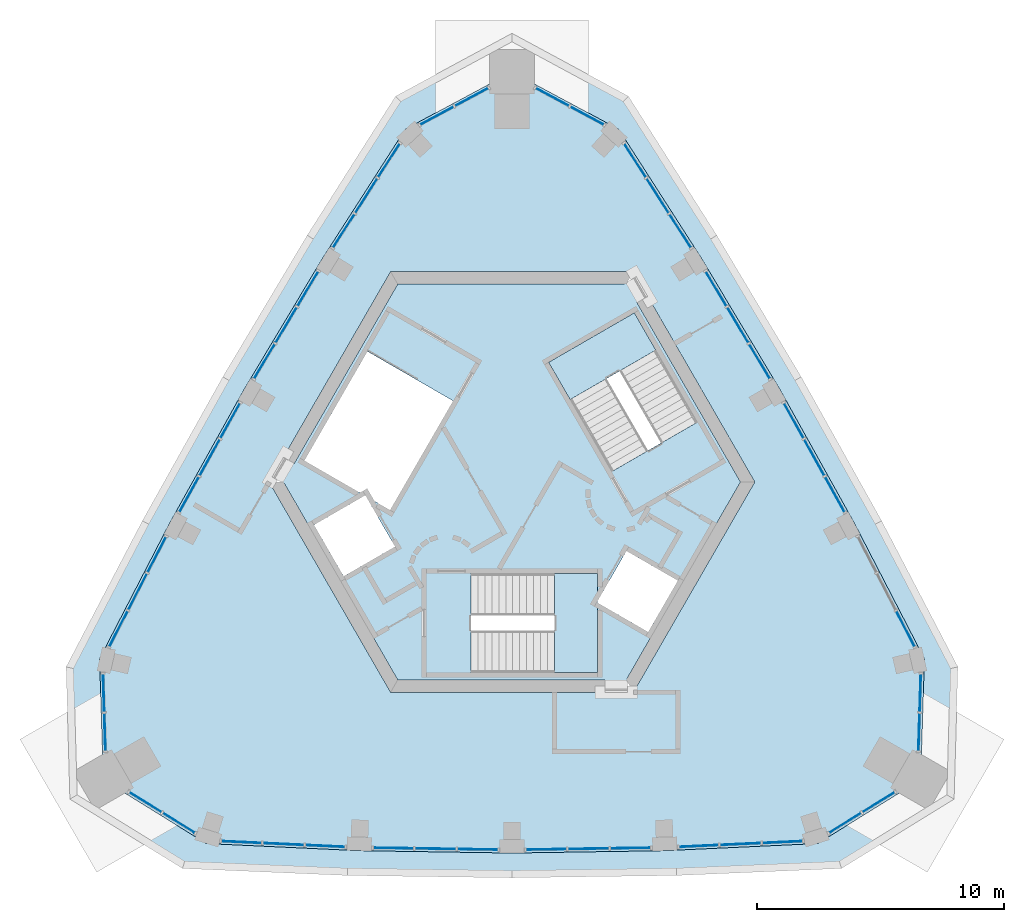
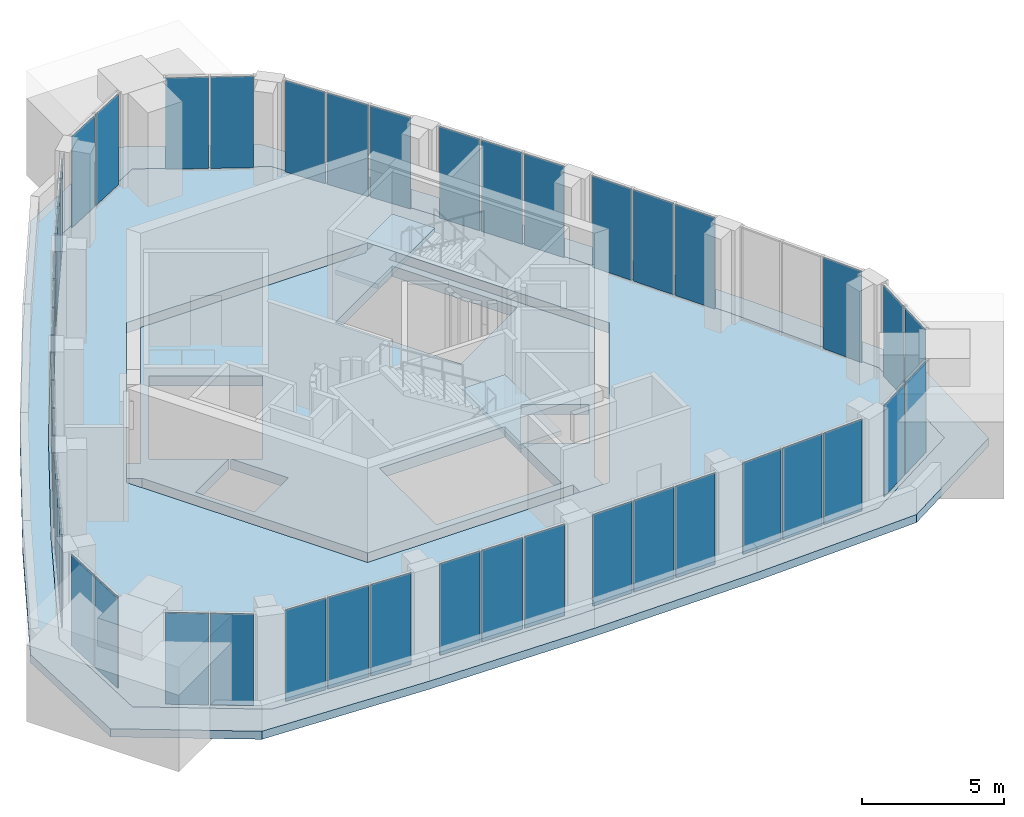
# One storey, part 5 of 9: 46 plates, 5 slabs, 20 elements without a shape of their own.
"""IFC4 building model written with IfcOpenShell, lengths in metres."""

import ifcopenshell
import ifcopenshell.guid

model = None  # the IFC model being written
_history = None  # IfcOwnerHistory: only IFC2X3 demands one
_inside = {}  # id of a spatial element -> (the spatial element, [elements in it])
_under = {}  # id of a project, library or spatial element -> (it, [spatial elements below it])
_declared = {}  # id of a project -> (the project, [libraries it declares])
_typed = {}  # id of a type object -> (the type object, [elements of that type])
_made_of = {}  # id of a material, layer set ... -> (it, [elements and type objects made of it])


def new_model(schema):
    """Start an empty IFC model of exactly this schema.

    Asked for "IFC4X3", IfcOpenShell would pick the latest addendum, in which some entities
    have other attributes; the version numbers below select the first issue.
    IFC2X3 requires an IfcOwnerHistory on every rooted entity: one is made here for all.
    """
    global model, _history
    if schema == "IFC4X3":
        model = ifcopenshell.file(schema_version=(4, 3, 0, 0))
    else:
        model = ifcopenshell.file(schema=schema)
    _inside.clear()
    _under.clear()
    _declared.clear()
    _typed.clear()
    _made_of.clear()
    _history = None
    if model.schema == "IFC2X3":
        org = make("IfcOrganization", Name="unknown")
        user = make(
            "IfcPersonAndOrganization",
            ThePerson=make("IfcPerson", FamilyName="unknown"),
            TheOrganization=org,
        )
        app = make(
            "IfcApplication",
            ApplicationDeveloper=org,
            Version="unknown",
            ApplicationFullName="unknown",
            ApplicationIdentifier="unknown",
        )
        _history = make(
            "IfcOwnerHistory",
            OwningUser=user,
            OwningApplication=app,
            ChangeAction="ADDED",
            CreationDate=0,
        )
    return model


def make(cls, **values):
    """One entity of the class cls with the attributes given. An attribute that is None is left unset."""
    return model.create_entity(
        cls, **{name: value for name, value in values.items() if value is not None}
    )


def rooted(cls, **values):
    """An entity with a GlobalId (a new one), such as an element, a storey or a relation."""
    return make(cls, GlobalId=ifcopenshell.guid.new(), OwnerHistory=_history, **values)


def si_unit(unit_type, name, prefix=None):
    """IfcSIUnit, for example si_unit("LENGTHUNIT", "METRE", prefix="MILLI")."""
    return make("IfcSIUnit", UnitType=unit_type, Prefix=prefix, Name=name)


def assignment(units):
    """IfcUnitAssignment: the units of a project."""
    return None if units is None else make("IfcUnitAssignment", Units=units)


def point(xyz):
    """IfcCartesianPoint."""
    return None if xyz is None else make("IfcCartesianPoint", Coordinates=xyz)


def direction(xyz):
    """IfcDirection."""
    return None if xyz is None else make("IfcDirection", DirectionRatios=xyz)


def frame(location, z_axis=None, x_axis=None):
    """IfcAxis2Placement3D, a coordinate frame: its origin and axes. An axis left out is left unset."""
    return make(
        "IfcAxis2Placement3D",
        Location=point(location),
        Axis=direction(z_axis),
        RefDirection=direction(x_axis),
    )


def frame_2d(location, x_axis=None):
    """IfcAxis2Placement2D, a coordinate frame in the plane: its origin and x axis."""
    return make(
        "IfcAxis2Placement2D", Location=point(location), RefDirection=direction(x_axis)
    )


def origin():
    """The frame at (0, 0, 0) with its axes left unset."""
    return frame((0.0, 0.0, 0.0))


def origin_2d():
    """The frame at (0, 0) in the plane with its x axis left unset."""
    return frame_2d((0.0, 0.0))


def place(relative_to, where):
    """IfcLocalPlacement: puts the frame where relative to a parent placement (None: the world)."""
    return make(
        "IfcLocalPlacement", PlacementRelTo=relative_to, RelativePlacement=where
    )


def context(
    kind, dimensions, precision=None, world=None, true_north=None, identifier=None
):
    """IfcGeometricRepresentationContext, for example the 3D "Model" context."""
    return make(
        "IfcGeometricRepresentationContext",
        ContextIdentifier=identifier,
        ContextType=kind,
        CoordinateSpaceDimension=dimensions,
        Precision=precision,
        WorldCoordinateSystem=world,
        TrueNorth=true_north,
    )


def subcontext(parent, identifier, kind, view, scale=None):
    """IfcGeometricRepresentationSubContext, for example "Body" below "Model"."""
    return make(
        "IfcGeometricRepresentationSubContext",
        ContextIdentifier=identifier,
        ContextType=kind,
        ParentContext=parent,
        TargetScale=scale,
        TargetView=view,
    )


def project(units=None, contexts=None):
    """IfcProject with its units and contexts."""
    return rooted(
        "IfcProject",
        Name="project",
        RepresentationContexts=contexts,
        UnitsInContext=assignment(units),
    )


def spatial(cls, under=None, at=None, **own):
    """A site, building, storey or space (cls), placed at a placement, below another one or the project."""
    s = rooted(cls, ObjectPlacement=at, **own)
    if under is not None:
        _under.setdefault(under.id(), (under, []))[1].append(s)
    return s


def polyline(points):
    """IfcPolyline through the points."""
    return make("IfcPolyline", Points=[point(p) for p in points])


def profile(cls, at=None, kind="AREA", **sizes):
    """A parametric profile (cls). Its sizes go by their IFC names, for example OverallWidth=200.0."""
    return make(cls, ProfileType=kind, Position=at, **sizes)


def rectangle(**sizes):
    """IfcRectangleProfileDef."""
    return profile("IfcRectangleProfileDef", **sizes)


def outline(outer, holes=None, kind="AREA"):
    """IfcArbitraryClosedProfileDef: a profile drawn as a closed curve; with holes, ...WithVoids."""
    if holes is None:
        return make("IfcArbitraryClosedProfileDef", ProfileType=kind, OuterCurve=outer)
    return make(
        "IfcArbitraryProfileDefWithVoids",
        ProfileType=kind,
        OuterCurve=outer,
        InnerCurves=holes,
    )


def extrude(swept, where, along, depth):
    """IfcExtrudedAreaSolid: the profile swept, set in the frame where, extruded along a direction by depth."""
    return make(
        "IfcExtrudedAreaSolid",
        SweptArea=swept,
        Position=where,
        ExtrudedDirection=direction(along),
        Depth=depth,
    )


def shape(context_of_items, identifier, shape_type, items):
    """IfcShapeRepresentation: the items that make up one representation, for example the "Body"."""
    return make(
        "IfcShapeRepresentation",
        ContextOfItems=context_of_items,
        RepresentationIdentifier=identifier,
        RepresentationType=shape_type,
        Items=items,
    )


def material(Name=None, Category=None):
    """IfcMaterial."""
    return make("IfcMaterial", Name=Name, Category=Category)


def layer(
    of_material, thickness, ventilated=None, Name=None, Category=None, Priority=None
):
    """IfcMaterialLayer: one layer of a wall or slab, of a material (None: an air gap)."""
    return make(
        "IfcMaterialLayer",
        Material=of_material,
        LayerThickness=thickness,
        IsVentilated=ventilated,
        Name=Name,
        Category=Category,
        Priority=Priority,
    )


def layer_set(layers, Name=None):
    """IfcMaterialLayerSet."""
    return make("IfcMaterialLayerSet", MaterialLayers=layers, LayerSetName=Name)


def made_of(thing, what):
    """Note that an element or type object is made of a material, layer set ...; save() writes the relation."""
    if what is not None:
        _made_of.setdefault(what.id(), (what, []))[1].append(thing)
    return thing


def type_object(cls, material=None, **own):
    """A type object (cls), such as IfcWallType, which elements share."""
    return made_of(rooted(cls, **own), material)


def element(
    cls,
    number,
    at=None,
    inside=None,
    cuts=None,
    type_object=None,
    material=None,
    context=None,
    identifier="Body",
    shape_type=None,
    held_by="IfcProductDefinitionShape",
    body=None,
    shapes=None,
    **own,
):
    """One element of the class cls, such as IfcWall. Its Tag is "e" and its number.

    at: its placement. inside: the storey or other place that contains it. cuts: it is an
    opening in that element (IfcRelVoidsElement). A single representation is given by context,
    identifier, shape_type and body (its items); several are given by shapes. held_by: the class
    of the entity that holds the representations. save() writes the other relations.
    """
    e = rooted(cls, Tag="e%d" % number, ObjectPlacement=at, **own)
    if body is not None:
        shapes = [shape(context, identifier, shape_type, body)]
    if shapes is not None:
        e.Representation = make(held_by, Representations=shapes)
    if inside is not None:
        _inside.setdefault(inside.id(), (inside, []))[1].append(e)
    if cuts is not None:
        rooted(
            "IfcRelVoidsElement", RelatingBuildingElement=cuts, RelatedOpeningElement=e
        )
    if type_object is not None:
        _typed.setdefault(type_object.id(), (type_object, []))[1].append(e)
    return made_of(e, material)


def aggregate(whole, parts):
    """IfcRelAggregates: a whole, such as a stair, and the parts it consists of."""
    return rooted("IfcRelAggregates", RelatingObject=whole, RelatedObjects=parts)


def save(model, path):
    """Write the relations noted so far, then the file.

    IfcRelAggregates (storeys below a building ...), IfcRelContainedInSpatialStructure (elements
    in a storey), IfcRelDefinesByType, IfcRelAssociatesMaterial and IfcRelDeclares: one each for
    every whole, place, type object, material and project.
    """
    for whole, parts in _under.values():
        aggregate(whole, parts)
    for where, things in _inside.values():
        rooted(
            "IfcRelContainedInSpatialStructure",
            RelatedElements=things,
            RelatingStructure=where,
        )
    for kind, things in _typed.values():
        rooted("IfcRelDefinesByType", RelatedObjects=things, RelatingType=kind)
    for what, things in _made_of.values():
        rooted("IfcRelAssociatesMaterial", RelatedObjects=things, RelatingMaterial=what)
    for by, libraries in _declared.values():
        rooted("IfcRelDeclares", RelatingContext=by, RelatedDefinitions=libraries)
    model.write(path)


model = new_model("IFC4")

# Units and contexts
model_context = context("Model", 3, precision=1e-05, world=origin(), true_north=direction((0.0, 1.0)))
body_context = subcontext(model_context, "Body", "Model", "MODEL_VIEW")
ifc_project = project(units=[si_unit("LENGTHUNIT", "METRE"), si_unit("AREAUNIT", "SQUARE_METRE"), si_unit("VOLUMEUNIT", "CUBIC_METRE"), si_unit("PLANEANGLEUNIT", "RADIAN"), si_unit("MASSUNIT", "GRAM", prefix="KILO")], contexts=[model_context])

# Site, building, storey
site_placement = place(None, origin())
site = spatial("IfcSite", under=ifc_project, at=site_placement, CompositionType="ELEMENT")
building_placement = place(site_placement, origin())
building = spatial("IfcBuilding", under=site, at=building_placement, Name="Entoto Arch Interchange Tower", CompositionType="ELEMENT")
storey_placement = place(building_placement, frame((0.0, 0.0, 358.39990234375)))
storey = spatial("IfcBuildingStorey", under=building, at=storey_placement, Name="L84", CompositionType="ELEMENT", Elevation=358.39990234375)

# Slab
ifc_material_1 = material(Name="Concrete C40/50", Category="concrete")
ifc_layer_1 = layer(ifc_material_1, 0.449951171875)
ifc_layer_set_1 = layer_set([ifc_layer_1], Name="Concrete C40/50")
slab_type_1 = type_object("IfcSlabType", Name="Core floor slab 450 C40/50", PredefinedType="FLOOR", material=ifc_layer_set_1)
slab_1_placement = place(storey_placement, frame((0.0, 0.0, -0.449951171875)))
element("IfcSlab", 1, at=slab_1_placement, inside=storey, type_object=slab_type_1, Name="Core floor slab L84", PredefinedType="FLOOR", context=body_context, shape_type="SweptSolid", body=[
    extrude(outline(polyline([(-9.208984375, 2.449951171875), (-9.222900390625, 2.425048828125), (-9.699951171875, 2.699951171875), (-9.236083984375, 3.501953125), (-8.802978515625, 3.2529296875), (-4.618896484375, 10.5), (4.56103515625, 10.5), (4.5458984375, 10.52490234375), (5.02197265625, 10.800048828125), (5.486083984375, 9.998046875), (5.052978515625, 9.748046875), (9.238037109375, 2.5), (4.64794921875, -5.449951171875), (4.676025390625, -5.449951171875), (4.676025390625, -6.0), (3.75, -6.0), (3.75, -5.5), (-4.618896484375, -5.5), (-9.208984375, 2.449951171875)]), holes=[polyline([(5.5048828125, -3.56494140625), (6.705078125, -1.487060546875), (4.626953125, -0.287109375), (3.449951171875, -2.324951171875), (3.449951171875, -1.199951171875), (-1.64990234375, -1.199951171875), (-1.64990234375, -5.199951171875), (3.449951171875, -5.199951171875), (3.449951171875, -2.3779296875), (5.5048828125, -3.56494140625)]), polyline([(-4.928955078125, 1.362060546875), (-2.37890625, 5.779052734375), (-5.843017578125, 7.779052734375), (-8.39306640625, 3.362060546875), (-5.949951171875, 1.951904296875), (-8.0048828125, 0.764892578125), (-6.804931640625, -1.31298828125), (-4.72705078125, -0.113037109375), (-5.904052734375, 1.925048828125), (-4.928955078125, 1.362060546875)]), polyline([(7.492919921875, 4.9208984375), (4.943115234375, 9.337890625), (1.47900390625, 7.337890625), (4.029052734375, 2.9208984375), (7.492919921875, 4.9208984375)])]), origin(), (0.0, 0.0, 1.0), 0.449951171875),
])

# Stair, slab
stair_type = type_object("IfcStairType", Name="EXIT STAIR RC 1700", PredefinedType="HALF_TURN_STAIR", material=ifc_material_1)
stair_1_placement = place(storey_placement, origin())
stair_1 = element("IfcStair", 2, at=stair_1_placement, inside=storey, type_object=stair_type, Name="L84 Exit stair S", PredefinedType="HALF_TURN_STAIR")
ifc_layer_2 = layer(ifc_material_1, 0.199951171875)
ifc_layer_set_2 = layer_set([ifc_layer_2], Name="Concrete C40/50")
slab_type_2 = type_object("IfcSlabType", Name="EXIT STAIR LANDING RC 200", PredefinedType="LANDING", material=ifc_layer_set_2)
slab_2_placement = place(storey_placement, frame((0.0, 0.0, 2.050048828125)))
slab_2 = element("IfcSlab", 3, at=slab_2_placement, type_object=slab_type_2, Name="ST-S landing 1", PredefinedType="LANDING", context=body_context, shape_type="SweptSolid", body=[
    extrude(outline(polyline([(1.7099609375, -5.199951171875), (3.449951171875, -5.199951171875), (3.449951171875, -1.199951171875), (1.7099609375, -1.199951171875), (1.7099609375, -5.199951171875)])), origin(), (0.0, 0.0, 1.0), 0.199951171875),
])
aggregate(stair_1, [slab_2])

stair_2_placement = place(storey_placement, origin())
stair_2 = element("IfcStair", 4, at=stair_2_placement, inside=storey, type_object=stair_type, Name="L84 Exit stair NE", PredefinedType="HALF_TURN_STAIR")
slab_3_placement = place(storey_placement, frame((0.0, 0.0, 2.050048828125)))
slab_3 = element("IfcSlab", 5, at=slab_3_placement, type_object=slab_type_2, Name="ST-NE landing 1", PredefinedType="LANDING", context=body_context, shape_type="SweptSolid", body=[
    extrude(outline(polyline([(5.8134765625, 7.830810546875), (4.943359375, 9.337890625), (1.479248046875, 7.337890625), (2.349365234375, 5.830810546875), (5.8134765625, 7.830810546875)])), origin(), (0.0, 0.0, 1.0), 0.199951171875),
])
aggregate(stair_2, [slab_3])

# Curtain wall, plates
ifc_material_2 = material(Name="Aluminium, anodised", Category="aluminium")
curtain_wall_type = type_object("IfcCurtainWallType", Name="CURTAIN WALL CROWN LANTERN", PredefinedType="NOTDEFINED", material=ifc_material_2)
curtain_wall_1_placement = place(storey_placement, origin())
curtain_wall_1 = element("IfcCurtainWall", 6, at=curtain_wall_1_placement, inside=storey, type_object=curtain_wall_type, Name="Crown Lantern glazing S-01 L84", PredefinedType="NOTDEFINED")
ifc_material_3 = material(Name="Clear glass, low-e double glazed", Category="glass")
ifc_layer_3 = layer(ifc_material_3, 0.028076171875)
ifc_layer_set_3 = layer_set([ifc_layer_3], Name="Clear glass, low-e double glazed")
plate_type = type_object("IfcPlateType", Name="GLAZING PANEL CROWN LANTERN 28", PredefinedType="CURTAIN_PANEL", material=ifc_layer_set_3)
plate_1_placement = place(storey_placement, frame((-10.931640625, -12.057861328125, 0.06005859375), z_axis=(0.0, 0.0, 1.0), x_axis=(0.998917353232, -0.046520118358, 0.0)))
plate_1 = element("IfcPlate", 7, at=plate_1_placement, type_object=plate_type, Name="CWL panel 1.1", PredefinedType="CURTAIN_PANEL", context=body_context, shape_type="SweptSolid", body=[
    extrude(rectangle(XDim=1.592529296875, YDim=0.028076171875, at=origin_2d()), origin(), (0.0, 0.0, 1.0), 3.929931640625),
])
plate_2_placement = place(storey_placement, frame((-9.240966796875, -12.136474609375, 0.06005859375), z_axis=(0.0, 0.0, 1.0), x_axis=(0.998917353232, -0.046520118358, 0.0)))
plate_2 = element("IfcPlate", 8, at=plate_2_placement, type_object=plate_type, Name="CWL panel 2.1", PredefinedType="CURTAIN_PANEL", context=body_context, shape_type="SweptSolid", body=[
    extrude(rectangle(XDim=1.632568359375, YDim=0.028076171875, at=origin_2d()), origin(), (0.0, 0.0, 1.0), 3.929931640625),
])
plate_3_placement = place(storey_placement, frame((-7.55029296875, -12.21533203125, 0.06005859375), z_axis=(0.0, 0.0, 1.0), x_axis=(0.998917353232, -0.046520118358, 0.0)))
plate_3 = element("IfcPlate", 9, at=plate_3_placement, type_object=plate_type, Name="CWL panel 3.1", PredefinedType="CURTAIN_PANEL", context=body_context, shape_type="SweptSolid", body=[
    extrude(rectangle(XDim=1.592529296875, YDim=0.028076171875, at=origin_2d()), origin(), (0.0, 0.0, 1.0), 3.929931640625),
])
aggregate(curtain_wall_1, [plate_1, plate_2, plate_3])

curtain_wall_2_placement = place(storey_placement, origin())
curtain_wall_2 = element("IfcCurtainWall", 10, at=curtain_wall_2_placement, inside=storey, type_object=curtain_wall_type, Name="Crown Lantern glazing S-02 L84", PredefinedType="NOTDEFINED")
plate_4_placement = place(storey_placement, frame((-4.7939453125, -12.300537109375, 0.06005859375), z_axis=(0.0, 0.0, 1.0), x_axis=(0.999880670411, -0.015448137055, 0.0)))
plate_4 = element("IfcPlate", 11, at=plate_4_placement, type_object=plate_type, Name="CWL panel 1.1", PredefinedType="CURTAIN_PANEL", context=body_context, shape_type="SweptSolid", body=[
    extrude(rectangle(XDim=1.606201171875, YDim=0.028076171875, at=origin_2d()), origin(), (0.0, 0.0, 1.0), 3.929931640625),
])
plate_5_placement = place(storey_placement, frame((-3.087890625, -12.326904296875, 0.06005859375), z_axis=(0.0, 0.0, 1.0), x_axis=(0.999880670411, -0.015448137055, 0.0)))
plate_5 = element("IfcPlate", 12, at=plate_5_placement, type_object=plate_type, Name="CWL panel 2.1", PredefinedType="CURTAIN_PANEL", context=body_context, shape_type="SweptSolid", body=[
    extrude(rectangle(XDim=1.646240234375, YDim=0.028076171875, at=origin_2d()), origin(), (0.0, 0.0, 1.0), 3.929931640625),
])
plate_6_placement = place(storey_placement, frame((-1.382080078125, -12.353271484375, 0.06005859375), z_axis=(0.0, 0.0, 1.0), x_axis=(0.999880670411, -0.015448137055, 0.0)))
plate_6 = element("IfcPlate", 13, at=plate_6_placement, type_object=plate_type, Name="CWL panel 3.1", PredefinedType="CURTAIN_PANEL", context=body_context, shape_type="SweptSolid", body=[
    extrude(rectangle(XDim=1.606201171875, YDim=0.028076171875, at=origin_2d()), origin(), (0.0, 0.0, 1.0), 3.929931640625),
])
aggregate(curtain_wall_2, [plate_4, plate_5, plate_6])

curtain_wall_3_placement = place(storey_placement, origin())
curtain_wall_3 = element("IfcCurtainWall", 14, at=curtain_wall_3_placement, inside=storey, type_object=curtain_wall_type, Name="Crown Lantern glazing S-03 L84", PredefinedType="NOTDEFINED")
plate_7_placement = place(storey_placement, frame((1.382080078125, -12.353271484375, 0.06005859375), z_axis=(0.0, 0.0, 1.0), x_axis=(0.999880670411, 0.015448137055, 0.0)))
plate_7 = element("IfcPlate", 15, at=plate_7_placement, type_object=plate_type, Name="CWL panel 1.1", PredefinedType="CURTAIN_PANEL", context=body_context, shape_type="SweptSolid", body=[
    extrude(rectangle(XDim=1.606201171875, YDim=0.028076171875, at=origin_2d()), origin(), (0.0, 0.0, 1.0), 3.929931640625),
])
plate_8_placement = place(storey_placement, frame((3.087890625, -12.326904296875, 0.06005859375), z_axis=(0.0, 0.0, 1.0), x_axis=(0.999880670411, 0.015448137055, 0.0)))
plate_8 = element("IfcPlate", 16, at=plate_8_placement, type_object=plate_type, Name="CWL panel 2.1", PredefinedType="CURTAIN_PANEL", context=body_context, shape_type="SweptSolid", body=[
    extrude(rectangle(XDim=1.646240234375, YDim=0.028076171875, at=origin_2d()), origin(), (0.0, 0.0, 1.0), 3.929931640625),
])
plate_9_placement = place(storey_placement, frame((4.7939453125, -12.300537109375, 0.06005859375), z_axis=(0.0, 0.0, 1.0), x_axis=(0.999880670411, 0.015448137055, 0.0)))
plate_9 = element("IfcPlate", 17, at=plate_9_placement, type_object=plate_type, Name="CWL panel 3.1", PredefinedType="CURTAIN_PANEL", context=body_context, shape_type="SweptSolid", body=[
    extrude(rectangle(XDim=1.606201171875, YDim=0.028076171875, at=origin_2d()), origin(), (0.0, 0.0, 1.0), 3.929931640625),
])
aggregate(curtain_wall_3, [plate_7, plate_8, plate_9])

curtain_wall_4_placement = place(storey_placement, origin())
curtain_wall_4 = element("IfcCurtainWall", 18, at=curtain_wall_4_placement, inside=storey, type_object=curtain_wall_type, Name="Crown Lantern glazing S-04 L84", PredefinedType="NOTDEFINED")
plate_10_placement = place(storey_placement, frame((7.55029296875, -12.21533203125, 0.06005859375), z_axis=(0.0, 0.0, 1.0), x_axis=(0.998917353232, 0.046520118358, 0.0)))
plate_10 = element("IfcPlate", 19, at=plate_10_placement, type_object=plate_type, Name="CWL panel 1.1", PredefinedType="CURTAIN_PANEL", context=body_context, shape_type="SweptSolid", body=[
    extrude(rectangle(XDim=1.592529296875, YDim=0.028076171875, at=origin_2d()), origin(), (0.0, 0.0, 1.0), 3.929931640625),
])
plate_11_placement = place(storey_placement, frame((9.240966796875, -12.136474609375, 0.06005859375), z_axis=(0.0, 0.0, 1.0), x_axis=(0.998917353232, 0.046520118358, 0.0)))
plate_11 = element("IfcPlate", 20, at=plate_11_placement, type_object=plate_type, Name="CWL panel 2.1", PredefinedType="CURTAIN_PANEL", context=body_context, shape_type="SweptSolid", body=[
    extrude(rectangle(XDim=1.632568359375, YDim=0.028076171875, at=origin_2d()), origin(), (0.0, 0.0, 1.0), 3.929931640625),
])
plate_12_placement = place(storey_placement, frame((10.931640625, -12.057861328125, 0.06005859375), z_axis=(0.0, 0.0, 1.0), x_axis=(0.998917353232, 0.046520118358, 0.0)))
plate_12 = element("IfcPlate", 21, at=plate_12_placement, type_object=plate_type, Name="CWL panel 3.1", PredefinedType="CURTAIN_PANEL", context=body_context, shape_type="SweptSolid", body=[
    extrude(rectangle(XDim=1.592529296875, YDim=0.028076171875, at=origin_2d()), origin(), (0.0, 0.0, 1.0), 3.929931640625),
])
aggregate(curtain_wall_4, [plate_10, plate_11, plate_12])

curtain_wall_5_placement = place(storey_placement, origin())
curtain_wall_5 = element("IfcCurtainWall", 22, at=curtain_wall_5_placement, inside=storey, type_object=curtain_wall_type, Name="Crown Lantern glazing SE-01 L84", PredefinedType="NOTDEFINED")
plate_13_placement = place(storey_placement, frame((13.469482421875, -11.281494140625, 0.06005859375), z_axis=(0.0, 0.0, 1.0), x_axis=(0.850095053119, 0.526629282002, 0.0)))
plate_13 = element("IfcPlate", 23, at=plate_13_placement, type_object=plate_type, Name="CWL panel 1.1", PredefinedType="CURTAIN_PANEL", context=body_context, shape_type="SweptSolid", body=[
    extrude(rectangle(XDim=1.50927734375, YDim=0.028076171875, at=origin_2d()), origin(), (0.0, 0.0, 1.0), 3.929931640625),
])
plate_14_placement = place(storey_placement, frame((14.820556640625, -10.444580078125, 0.06005859375), z_axis=(0.0, 0.0, 1.0), x_axis=(0.850095053119, 0.526629282002, 0.0)))
plate_14 = element("IfcPlate", 24, at=plate_14_placement, type_object=plate_type, Name="CWL panel 2.1", PredefinedType="CURTAIN_PANEL", context=body_context, shape_type="SweptSolid", body=[
    extrude(rectangle(XDim=1.50927734375, YDim=0.028076171875, at=origin_2d()), origin(), (0.0, 0.0, 1.0), 3.929931640625),
])
aggregate(curtain_wall_5, [plate_13, plate_14])

curtain_wall_6_placement = place(storey_placement, origin())
curtain_wall_6 = element("IfcCurtainWall", 25, at=curtain_wall_6_placement, inside=storey, type_object=curtain_wall_type, Name="Crown Lantern glazing SE-02 L84", PredefinedType="NOTDEFINED")
plate_15_placement = place(storey_placement, frame((16.455078125, -7.613037109375, 0.06005859375), z_axis=(0.0, 0.0, 1.0), x_axis=(0.031311421098, 0.999509677246, 0.0)))
plate_15 = element("IfcPlate", 26, at=plate_15_placement, type_object=plate_type, Name="CWL panel 1.1", PredefinedType="CURTAIN_PANEL", context=body_context, shape_type="SweptSolid", body=[
    extrude(rectangle(XDim=1.5087890625, YDim=0.028076171875, at=origin_2d()), origin(), (0.0, 0.0, 1.0), 3.929931640625),
])
plate_16_placement = place(storey_placement, frame((16.5048828125, -6.02490234375, 0.06005859375), z_axis=(0.0, 0.0, 1.0), x_axis=(0.031311421098, 0.999509677246, 0.0)))
plate_16 = element("IfcPlate", 27, at=plate_16_placement, type_object=plate_type, Name="CWL panel 2.1", PredefinedType="CURTAIN_PANEL", context=body_context, shape_type="SweptSolid", body=[
    extrude(rectangle(XDim=1.5087890625, YDim=0.028076171875, at=origin_2d()), origin(), (0.0, 0.0, 1.0), 3.929931640625),
])
aggregate(curtain_wall_6, [plate_15, plate_16])

# Curtain wall, plate
curtain_wall_7_placement = place(storey_placement, origin())
curtain_wall_7 = element("IfcCurtainWall", 28, at=curtain_wall_7_placement, inside=storey, type_object=curtain_wall_type, Name="Crown Lantern glazing NE-01 L84", PredefinedType="NOTDEFINED")
plate_17_placement = place(storey_placement, frame((15.907958984375, -3.439697265625, 0.06005859375), z_axis=(0.0, 0.0, 1.0), x_axis=(-0.458935522463, 0.888469575293, 0.0)))
plate_17 = element("IfcPlate", 29, at=plate_17_placement, type_object=plate_type, Name="CWL panel 1.1", PredefinedType="CURTAIN_PANEL", context=body_context, shape_type="SweptSolid", body=[
    extrude(rectangle(XDim=1.592041015625, YDim=0.028076171875, at=origin_2d()), origin(), (0.0, 0.0, 1.0), 3.929931640625),
])
aggregate(curtain_wall_7, [plate_17])

# Curtain wall, plates
curtain_wall_8_placement = place(storey_placement, origin())
curtain_wall_8 = element("IfcCurtainWall", 30, at=curtain_wall_8_placement, inside=storey, type_object=curtain_wall_type, Name="Crown Lantern glazing NE-02 L84", PredefinedType="NOTDEFINED")
plate_18_placement = place(storey_placement, frame((13.051025390625, 1.99609375, 0.06005859375), z_axis=(0.0, 0.0, 1.0), x_axis=(-0.486527522841, 0.873665250263, 0.0)))
plate_18 = element("IfcPlate", 31, at=plate_18_placement, type_object=plate_type, Name="CWL panel 1.1", PredefinedType="CURTAIN_PANEL", context=body_context, shape_type="SweptSolid", body=[
    extrude(rectangle(XDim=1.607177734375, YDim=0.028076171875, at=origin_2d()), origin(), (0.0, 0.0, 1.0), 3.929931640625),
])
plate_19_placement = place(storey_placement, frame((12.220458984375, 3.487548828125, 0.06005859375), z_axis=(0.0, 0.0, 1.0), x_axis=(-0.486527522841, 0.873665250263, 0.0)))
plate_19 = element("IfcPlate", 32, at=plate_19_placement, type_object=plate_type, Name="CWL panel 2.1", PredefinedType="CURTAIN_PANEL", context=body_context, shape_type="SweptSolid", body=[
    extrude(rectangle(XDim=1.647216796875, YDim=0.028076171875, at=origin_2d()), origin(), (0.0, 0.0, 1.0), 3.929931640625),
])
plate_20_placement = place(storey_placement, frame((11.389892578125, 4.97900390625, 0.06005859375), z_axis=(0.0, 0.0, 1.0), x_axis=(-0.486527522841, 0.873665250263, 0.0)))
plate_20 = element("IfcPlate", 33, at=plate_20_placement, type_object=plate_type, Name="CWL panel 3.1", PredefinedType="CURTAIN_PANEL", context=body_context, shape_type="SweptSolid", body=[
    extrude(rectangle(XDim=1.607177734375, YDim=0.028076171875, at=origin_2d()), origin(), (0.0, 0.0, 1.0), 3.929931640625),
])
aggregate(curtain_wall_8, [plate_18, plate_19, plate_20])

curtain_wall_9_placement = place(storey_placement, origin())
curtain_wall_9 = element("IfcCurtainWall", 34, at=curtain_wall_9_placement, inside=storey, type_object=curtain_wall_type, Name="Crown Lantern glazing NE-03 L84", PredefinedType="NOTDEFINED")
plate_21_placement = place(storey_placement, frame((10.00732421875, 7.374267578125, 0.06005859375), z_axis=(0.0, 0.0, 1.0), x_axis=(-0.513473822929, 0.858105257627, 0.0)))
plate_21 = element("IfcPlate", 35, at=plate_21_placement, type_object=plate_type, Name="CWL panel 1.1", PredefinedType="CURTAIN_PANEL", context=body_context, shape_type="SweptSolid", body=[
    extrude(rectangle(XDim=1.607421875, YDim=0.028076171875, at=origin_2d()), origin(), (0.0, 0.0, 1.0), 3.929931640625),
])
plate_22_placement = place(storey_placement, frame((9.130615234375, 8.839599609375, 0.06005859375), z_axis=(0.0, 0.0, 1.0), x_axis=(-0.513473822929, 0.858105257627, 0.0)))
plate_22 = element("IfcPlate", 36, at=plate_22_placement, type_object=plate_type, Name="CWL panel 2.1", PredefinedType="CURTAIN_PANEL", context=body_context, shape_type="SweptSolid", body=[
    extrude(rectangle(XDim=1.6474609375, YDim=0.028076171875, at=origin_2d()), origin(), (0.0, 0.0, 1.0), 3.929931640625),
])
plate_23_placement = place(storey_placement, frame((8.253662109375, 10.3046875, 0.06005859375), z_axis=(0.0, 0.0, 1.0), x_axis=(-0.513473822929, 0.858105257627, 0.0)))
plate_23 = element("IfcPlate", 37, at=plate_23_placement, type_object=plate_type, Name="CWL panel 3.1", PredefinedType="CURTAIN_PANEL", context=body_context, shape_type="SweptSolid", body=[
    extrude(rectangle(XDim=1.607421875, YDim=0.028076171875, at=origin_2d()), origin(), (0.0, 0.0, 1.0), 3.929931640625),
])
aggregate(curtain_wall_9, [plate_21, plate_22, plate_23])

curtain_wall_10_placement = place(storey_placement, origin())
curtain_wall_10 = element("IfcCurtainWall", 38, at=curtain_wall_10_placement, inside=storey, type_object=curtain_wall_type, Name="Crown Lantern glazing NE-04 L84", PredefinedType="NOTDEFINED")
plate_24_placement = place(storey_placement, frame((6.80126953125, 12.648193359375, 0.06005859375), z_axis=(0.0, 0.0, 1.0), x_axis=(-0.539733369026, 0.841836023439, 0.0)))
plate_24 = element("IfcPlate", 39, at=plate_24_placement, type_object=plate_type, Name="CWL panel 1.1", PredefinedType="CURTAIN_PANEL", context=body_context, shape_type="SweptSolid", body=[
    extrude(rectangle(XDim=1.59130859375, YDim=0.028076171875, at=origin_2d()), origin(), (0.0, 0.0, 1.0), 3.929931640625),
])
plate_25_placement = place(storey_placement, frame((5.888427734375, 14.072021484375, 0.06005859375), z_axis=(0.0, 0.0, 1.0), x_axis=(-0.539733369026, 0.841836023439, 0.0)))
plate_25 = element("IfcPlate", 40, at=plate_25_placement, type_object=plate_type, Name="CWL panel 2.1", PredefinedType="CURTAIN_PANEL", context=body_context, shape_type="SweptSolid", body=[
    extrude(rectangle(XDim=1.63134765625, YDim=0.028076171875, at=origin_2d()), origin(), (0.0, 0.0, 1.0), 3.929931640625),
])
plate_26_placement = place(storey_placement, frame((4.9755859375, 15.495849609375, 0.06005859375), z_axis=(0.0, 0.0, 1.0), x_axis=(-0.539733369026, 0.841836023439, 0.0)))
plate_26 = element("IfcPlate", 41, at=plate_26_placement, type_object=plate_type, Name="CWL panel 3.1", PredefinedType="CURTAIN_PANEL", context=body_context, shape_type="SweptSolid", body=[
    extrude(rectangle(XDim=1.59130859375, YDim=0.028076171875, at=origin_2d()), origin(), (0.0, 0.0, 1.0), 3.929931640625),
])
aggregate(curtain_wall_10, [plate_24, plate_25, plate_26])

curtain_wall_11_placement = place(storey_placement, origin())
curtain_wall_11 = element("IfcCurtainWall", 42, at=curtain_wall_11_placement, inside=storey, type_object=curtain_wall_type, Name="Crown Lantern glazing N-01 L84", PredefinedType="NOTDEFINED")
plate_27_placement = place(storey_placement, frame((3.03466796875, 17.3056640625, 0.06005859375), z_axis=(0.0, 0.0, 1.0), x_axis=(-0.881101008074, 0.472928127279, 0.0)))
plate_27 = element("IfcPlate", 43, at=plate_27_placement, type_object=plate_type, Name="CWL panel 1.1", PredefinedType="CURTAIN_PANEL", context=body_context, shape_type="SweptSolid", body=[
    extrude(rectangle(XDim=1.50927734375, YDim=0.028076171875, at=origin_2d()), origin(), (0.0, 0.0, 1.0), 3.929931640625),
])
plate_28_placement = place(storey_placement, frame((1.63427734375, 18.057373046875, 0.06005859375), z_axis=(0.0, 0.0, 1.0), x_axis=(-0.881101008074, 0.472928127279, 0.0)))
plate_28 = element("IfcPlate", 44, at=plate_28_placement, type_object=plate_type, Name="CWL panel 2.1", PredefinedType="CURTAIN_PANEL", context=body_context, shape_type="SweptSolid", body=[
    extrude(rectangle(XDim=1.50927734375, YDim=0.028076171875, at=origin_2d()), origin(), (0.0, 0.0, 1.0), 3.929931640625),
])
aggregate(curtain_wall_11, [plate_27, plate_28])

curtain_wall_12_placement = place(storey_placement, origin())
curtain_wall_12 = element("IfcCurtainWall", 45, at=curtain_wall_12_placement, inside=storey, type_object=curtain_wall_type, Name="Crown Lantern glazing N-02 L84", PredefinedType="NOTDEFINED")
plate_29_placement = place(storey_placement, frame((-1.63427734375, 18.057373046875, 0.06005859375), z_axis=(0.0, 0.0, 1.0), x_axis=(-0.881101008074, -0.472928127279, 0.0)))
plate_29 = element("IfcPlate", 46, at=plate_29_placement, type_object=plate_type, Name="CWL panel 1.1", PredefinedType="CURTAIN_PANEL", context=body_context, shape_type="SweptSolid", body=[
    extrude(rectangle(XDim=1.50927734375, YDim=0.028076171875, at=origin_2d()), origin(), (0.0, 0.0, 1.0), 3.929931640625),
])
plate_30_placement = place(storey_placement, frame((-3.03466796875, 17.3056640625, 0.06005859375), z_axis=(0.0, 0.0, 1.0), x_axis=(-0.881101008074, -0.472928127279, 0.0)))
plate_30 = element("IfcPlate", 47, at=plate_30_placement, type_object=plate_type, Name="CWL panel 2.1", PredefinedType="CURTAIN_PANEL", context=body_context, shape_type="SweptSolid", body=[
    extrude(rectangle(XDim=1.50927734375, YDim=0.028076171875, at=origin_2d()), origin(), (0.0, 0.0, 1.0), 3.929931640625),
])
aggregate(curtain_wall_12, [plate_29, plate_30])

curtain_wall_13_placement = place(storey_placement, origin())
curtain_wall_13 = element("IfcCurtainWall", 48, at=curtain_wall_13_placement, inside=storey, type_object=curtain_wall_type, Name="Crown Lantern glazing NW-01 L84", PredefinedType="NOTDEFINED")
plate_31_placement = place(storey_placement, frame((-4.9755859375, 15.495849609375, 0.06005859375), z_axis=(0.0, 0.0, 1.0), x_axis=(-0.539733369026, -0.841836023439, 0.0)))
plate_31 = element("IfcPlate", 49, at=plate_31_placement, type_object=plate_type, Name="CWL panel 1.1", PredefinedType="CURTAIN_PANEL", context=body_context, shape_type="SweptSolid", body=[
    extrude(rectangle(XDim=1.59130859375, YDim=0.028076171875, at=origin_2d()), origin(), (0.0, 0.0, 1.0), 3.929931640625),
])
plate_32_placement = place(storey_placement, frame((-5.888427734375, 14.072021484375, 0.06005859375), z_axis=(0.0, 0.0, 1.0), x_axis=(-0.539733369026, -0.841836023439, 0.0)))
plate_32 = element("IfcPlate", 50, at=plate_32_placement, type_object=plate_type, Name="CWL panel 2.1", PredefinedType="CURTAIN_PANEL", context=body_context, shape_type="SweptSolid", body=[
    extrude(rectangle(XDim=1.63134765625, YDim=0.028076171875, at=origin_2d()), origin(), (0.0, 0.0, 1.0), 3.929931640625),
])
plate_33_placement = place(storey_placement, frame((-6.80126953125, 12.648193359375, 0.06005859375), z_axis=(0.0, 0.0, 1.0), x_axis=(-0.539733369026, -0.841836023439, 0.0)))
plate_33 = element("IfcPlate", 51, at=plate_33_placement, type_object=plate_type, Name="CWL panel 3.1", PredefinedType="CURTAIN_PANEL", context=body_context, shape_type="SweptSolid", body=[
    extrude(rectangle(XDim=1.59130859375, YDim=0.028076171875, at=origin_2d()), origin(), (0.0, 0.0, 1.0), 3.929931640625),
])
aggregate(curtain_wall_13, [plate_31, plate_32, plate_33])

curtain_wall_14_placement = place(storey_placement, origin())
curtain_wall_14 = element("IfcCurtainWall", 52, at=curtain_wall_14_placement, inside=storey, type_object=curtain_wall_type, Name="Crown Lantern glazing NW-02 L84", PredefinedType="NOTDEFINED")
plate_34_placement = place(storey_placement, frame((-8.253662109375, 10.3046875, 0.06005859375), z_axis=(0.0, 0.0, 1.0), x_axis=(-0.513473822929, -0.858105257627, 0.0)))
plate_34 = element("IfcPlate", 53, at=plate_34_placement, type_object=plate_type, Name="CWL panel 1.1", PredefinedType="CURTAIN_PANEL", context=body_context, shape_type="SweptSolid", body=[
    extrude(rectangle(XDim=1.607421875, YDim=0.028076171875, at=origin_2d()), origin(), (0.0, 0.0, 1.0), 3.929931640625),
])
plate_35_placement = place(storey_placement, frame((-9.130615234375, 8.839599609375, 0.06005859375), z_axis=(0.0, 0.0, 1.0), x_axis=(-0.513473822929, -0.858105257627, 0.0)))
plate_35 = element("IfcPlate", 54, at=plate_35_placement, type_object=plate_type, Name="CWL panel 2.1", PredefinedType="CURTAIN_PANEL", context=body_context, shape_type="SweptSolid", body=[
    extrude(rectangle(XDim=1.6474609375, YDim=0.028076171875, at=origin_2d()), origin(), (0.0, 0.0, 1.0), 3.929931640625),
])
plate_36_placement = place(storey_placement, frame((-10.00732421875, 7.374267578125, 0.06005859375), z_axis=(0.0, 0.0, 1.0), x_axis=(-0.513473822929, -0.858105257627, 0.0)))
plate_36 = element("IfcPlate", 55, at=plate_36_placement, type_object=plate_type, Name="CWL panel 3.1", PredefinedType="CURTAIN_PANEL", context=body_context, shape_type="SweptSolid", body=[
    extrude(rectangle(XDim=1.607421875, YDim=0.028076171875, at=origin_2d()), origin(), (0.0, 0.0, 1.0), 3.929931640625),
])
aggregate(curtain_wall_14, [plate_34, plate_35, plate_36])

curtain_wall_15_placement = place(storey_placement, origin())
curtain_wall_15 = element("IfcCurtainWall", 56, at=curtain_wall_15_placement, inside=storey, type_object=curtain_wall_type, Name="Crown Lantern glazing NW-03 L84", PredefinedType="NOTDEFINED")
plate_37_placement = place(storey_placement, frame((-11.389892578125, 4.97900390625, 0.06005859375), z_axis=(0.0, 0.0, 1.0), x_axis=(-0.486527522841, -0.873665250263, 0.0)))
plate_37 = element("IfcPlate", 57, at=plate_37_placement, type_object=plate_type, Name="CWL panel 1.1", PredefinedType="CURTAIN_PANEL", context=body_context, shape_type="SweptSolid", body=[
    extrude(rectangle(XDim=1.607177734375, YDim=0.028076171875, at=origin_2d()), origin(), (0.0, 0.0, 1.0), 3.929931640625),
])
plate_38_placement = place(storey_placement, frame((-12.220458984375, 3.487548828125, 0.06005859375), z_axis=(0.0, 0.0, 1.0), x_axis=(-0.486527522841, -0.873665250263, 0.0)))
plate_38 = element("IfcPlate", 58, at=plate_38_placement, type_object=plate_type, Name="CWL panel 2.1", PredefinedType="CURTAIN_PANEL", context=body_context, shape_type="SweptSolid", body=[
    extrude(rectangle(XDim=1.647216796875, YDim=0.028076171875, at=origin_2d()), origin(), (0.0, 0.0, 1.0), 3.929931640625),
])
plate_39_placement = place(storey_placement, frame((-13.051025390625, 1.99609375, 0.06005859375), z_axis=(0.0, 0.0, 1.0), x_axis=(-0.486527522841, -0.873665250263, 0.0)))
plate_39 = element("IfcPlate", 59, at=plate_39_placement, type_object=plate_type, Name="CWL panel 3.1", PredefinedType="CURTAIN_PANEL", context=body_context, shape_type="SweptSolid", body=[
    extrude(rectangle(XDim=1.607177734375, YDim=0.028076171875, at=origin_2d()), origin(), (0.0, 0.0, 1.0), 3.929931640625),
])
aggregate(curtain_wall_15, [plate_37, plate_38, plate_39])

curtain_wall_16_placement = place(storey_placement, origin())
curtain_wall_16 = element("IfcCurtainWall", 60, at=curtain_wall_16_placement, inside=storey, type_object=curtain_wall_type, Name="Crown Lantern glazing NW-04 L84", PredefinedType="NOTDEFINED")
plate_40_placement = place(storey_placement, frame((-14.35498046875, -0.433349609375, 0.06005859375), z_axis=(0.0, 0.0, 1.0), x_axis=(-0.458935522463, -0.888469575293, 0.0)))
plate_40 = element("IfcPlate", 61, at=plate_40_placement, type_object=plate_type, Name="CWL panel 1.1", PredefinedType="CURTAIN_PANEL", context=body_context, shape_type="SweptSolid", body=[
    extrude(rectangle(XDim=1.592041015625, YDim=0.028076171875, at=origin_2d()), origin(), (0.0, 0.0, 1.0), 3.929931640625),
])
plate_41_placement = place(storey_placement, frame((-15.131591796875, -1.9365234375, 0.06005859375), z_axis=(0.0, 0.0, 1.0), x_axis=(-0.458935522463, -0.888469575293, 0.0)))
plate_41 = element("IfcPlate", 62, at=plate_41_placement, type_object=plate_type, Name="CWL panel 2.1", PredefinedType="CURTAIN_PANEL", context=body_context, shape_type="SweptSolid", body=[
    extrude(rectangle(XDim=1.6318359375, YDim=0.028076171875, at=origin_2d()), origin(), (0.0, 0.0, 1.0), 3.929931640625),
])
plate_42_placement = place(storey_placement, frame((-15.907958984375, -3.439697265625, 0.06005859375), z_axis=(0.0, 0.0, 1.0), x_axis=(-0.458935522463, -0.888469575293, 0.0)))
plate_42 = element("IfcPlate", 63, at=plate_42_placement, type_object=plate_type, Name="CWL panel 3.1", PredefinedType="CURTAIN_PANEL", context=body_context, shape_type="SweptSolid", body=[
    extrude(rectangle(XDim=1.592041015625, YDim=0.028076171875, at=origin_2d()), origin(), (0.0, 0.0, 1.0), 3.929931640625),
])
aggregate(curtain_wall_16, [plate_40, plate_41, plate_42])

curtain_wall_17_placement = place(storey_placement, origin())
curtain_wall_17 = element("IfcCurtainWall", 64, at=curtain_wall_17_placement, inside=storey, type_object=curtain_wall_type, Name="Crown Lantern glazing SW-01 L84", PredefinedType="NOTDEFINED")
plate_43_placement = place(storey_placement, frame((-16.5048828125, -6.02490234375, 0.06005859375), z_axis=(0.0, 0.0, 1.0), x_axis=(0.031311421098, -0.999509677246, 0.0)))
plate_43 = element("IfcPlate", 65, at=plate_43_placement, type_object=plate_type, Name="CWL panel 1.1", PredefinedType="CURTAIN_PANEL", context=body_context, shape_type="SweptSolid", body=[
    extrude(rectangle(XDim=1.5087890625, YDim=0.028076171875, at=origin_2d()), origin(), (0.0, 0.0, 1.0), 3.929931640625),
])
plate_44_placement = place(storey_placement, frame((-16.455078125, -7.613037109375, 0.06005859375), z_axis=(0.0, 0.0, 1.0), x_axis=(0.031311421098, -0.999509677246, 0.0)))
plate_44 = element("IfcPlate", 66, at=plate_44_placement, type_object=plate_type, Name="CWL panel 2.1", PredefinedType="CURTAIN_PANEL", context=body_context, shape_type="SweptSolid", body=[
    extrude(rectangle(XDim=1.5087890625, YDim=0.028076171875, at=origin_2d()), origin(), (0.0, 0.0, 1.0), 3.929931640625),
])
aggregate(curtain_wall_17, [plate_43, plate_44])

curtain_wall_18_placement = place(storey_placement, origin())
curtain_wall_18 = element("IfcCurtainWall", 67, at=curtain_wall_18_placement, inside=storey, type_object=curtain_wall_type, Name="Crown Lantern glazing SW-02 L84", PredefinedType="NOTDEFINED")
plate_45_placement = place(storey_placement, frame((-14.820556640625, -10.444580078125, 0.06005859375), z_axis=(0.0, 0.0, 1.0), x_axis=(0.850095053119, -0.526629282002, 0.0)))
plate_45 = element("IfcPlate", 68, at=plate_45_placement, type_object=plate_type, Name="CWL panel 1.1", PredefinedType="CURTAIN_PANEL", context=body_context, shape_type="SweptSolid", body=[
    extrude(rectangle(XDim=1.50927734375, YDim=0.028076171875, at=origin_2d()), origin(), (0.0, 0.0, 1.0), 3.929931640625),
])
plate_46_placement = place(storey_placement, frame((-13.469482421875, -11.281494140625, 0.06005859375), z_axis=(0.0, 0.0, 1.0), x_axis=(0.850095053119, -0.526629282002, 0.0)))
plate_46 = element("IfcPlate", 69, at=plate_46_placement, type_object=plate_type, Name="CWL panel 2.1", PredefinedType="CURTAIN_PANEL", context=body_context, shape_type="SweptSolid", body=[
    extrude(rectangle(XDim=1.50927734375, YDim=0.028076171875, at=origin_2d()), origin(), (0.0, 0.0, 1.0), 3.929931640625),
])
aggregate(curtain_wall_18, [plate_45, plate_46])

# Slabs
ifc_layer_4 = layer(ifc_material_1, 0.449951171875)
ifc_layer_set_4 = layer_set([ifc_layer_4], Name="Concrete C40/50")
slab_type_3 = type_object("IfcSlabType", Name="Post-tensioned flat plate 450 C40/50", PredefinedType="FLOOR", material=ifc_layer_set_4)
slab_4_placement = place(storey_placement, frame((0.0, 0.0, -0.449951171875)))
element("IfcSlab", 70, at=slab_4_placement, inside=storey, type_object=slab_type_3, Name="Floor slab L84", PredefinedType="FLOOR", context=body_context, shape_type="SweptSolid", body=[
    extrude(outline(polyline([(-12.360107421875, -12.115966796875), (-6.179931640625, -12.404052734375), (0.0, -12.5), (6.179931640625, -12.404052734375), (12.360107421875, -12.115966796875), (16.52001953125, -9.5380859375), (16.673095703125, -4.64697265625), (13.833984375, 0.846923828125), (10.824951171875, 6.25), (7.64990234375, 11.556884765625), (4.31201171875, 16.761962890625), (0.0, 19.075927734375), (-4.31201171875, 16.761962890625), (-7.64990234375, 11.556884765625), (-10.824951171875, 6.25), (-13.833984375, 0.846923828125), (-16.673095703125, -4.64697265625), (-16.52001953125, -9.5380859375), (-12.360107421875, -12.115966796875)]), holes=[polyline([(4.906982421875, 11.0), (-4.906982421875, 11.0), (-9.81494140625, 2.5), (-4.906982421875, -6.0), (4.906982421875, -6.0), (9.81494140625, 2.5), (4.906982421875, 11.0)])]), origin(), (0.0, 0.0, 1.0), 0.449951171875),
])
ifc_material_4 = material(Name="Board-marked precast concrete C50/60", Category="concrete")
ifc_layer_5 = layer(ifc_material_4, 0.35009765625)
ifc_layer_set_5 = layer_set([ifc_layer_5], Name="Board-marked precast concrete C50/60")
slab_type_4 = type_object("IfcSlabType", Name="TERRACE SLAB 350", PredefinedType="FLOOR", material=ifc_layer_set_5)
slab_5_placement = place(storey_placement, frame((0.0, 0.0, -0.349853515625)))
element("IfcSlab", 71, at=slab_5_placement, inside=storey, type_object=slab_type_4, Name="Crown terrace slab L84", PredefinedType="FLOOR", context=body_context, shape_type="SweptSolid", body=[
    extrude(outline(polyline([(-17.8720703125, -10.319091796875), (-18.02392578125, -4.97412109375), (-14.94091796875, 0.93310546875), (-11.69091796875, 6.75), (-8.278076171875, 12.472900390625), (-4.7041015625, 18.095947265625), (0.0, 20.636962890625), (4.7041015625, 18.095947265625), (8.278076171875, 12.472900390625), (11.69091796875, 6.75), (14.94091796875, 0.93310546875), (18.02392578125, -4.97412109375), (17.8720703125, -10.319091796875), (13.320068359375, -13.1220703125), (6.659912109375, -13.406005859375), (0.0, -13.5), (-6.659912109375, -13.406005859375), (-13.320068359375, -13.1220703125), (-17.8720703125, -10.319091796875)]), holes=[polyline([(-6.179931640625, -12.404052734375), (0.0, -12.5), (6.179931640625, -12.404052734375), (12.360107421875, -12.115966796875), (16.52001953125, -9.5380859375), (16.673095703125, -4.64697265625), (13.833984375, 0.846923828125), (10.824951171875, 6.25), (7.64990234375, 11.556884765625), (4.31201171875, 16.761962890625), (0.0, 19.075927734375), (-4.31201171875, 16.761962890625), (-7.64990234375, 11.556884765625), (-10.824951171875, 6.25), (-13.833984375, 0.846923828125), (-16.673095703125, -4.64697265625), (-16.52001953125, -9.5380859375), (-12.360107421875, -12.115966796875), (-6.179931640625, -12.404052734375)])]), origin(), (0.0, 0.0, 1.0), 0.349853515625),
])

save(model, "model.ifc")
